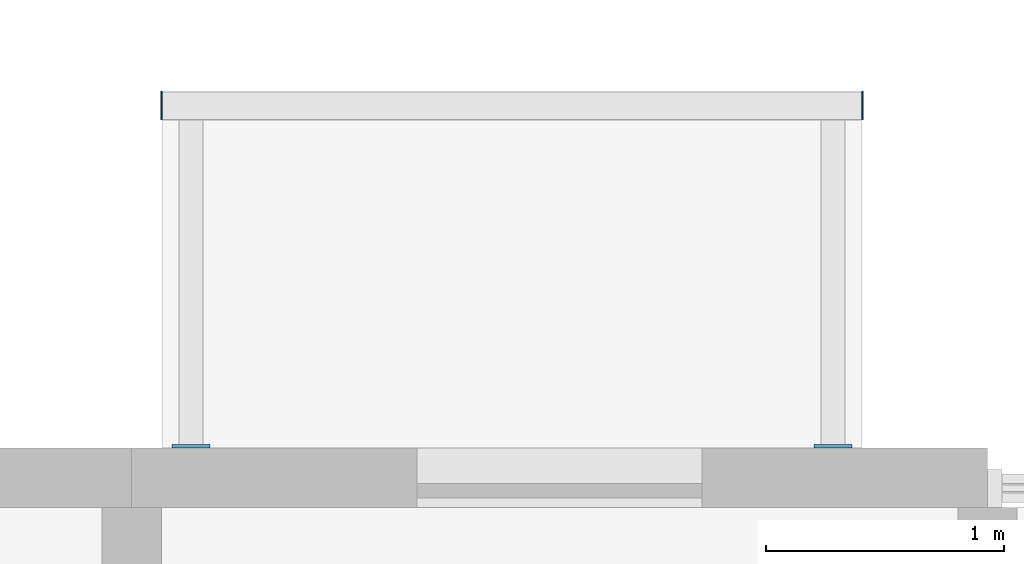
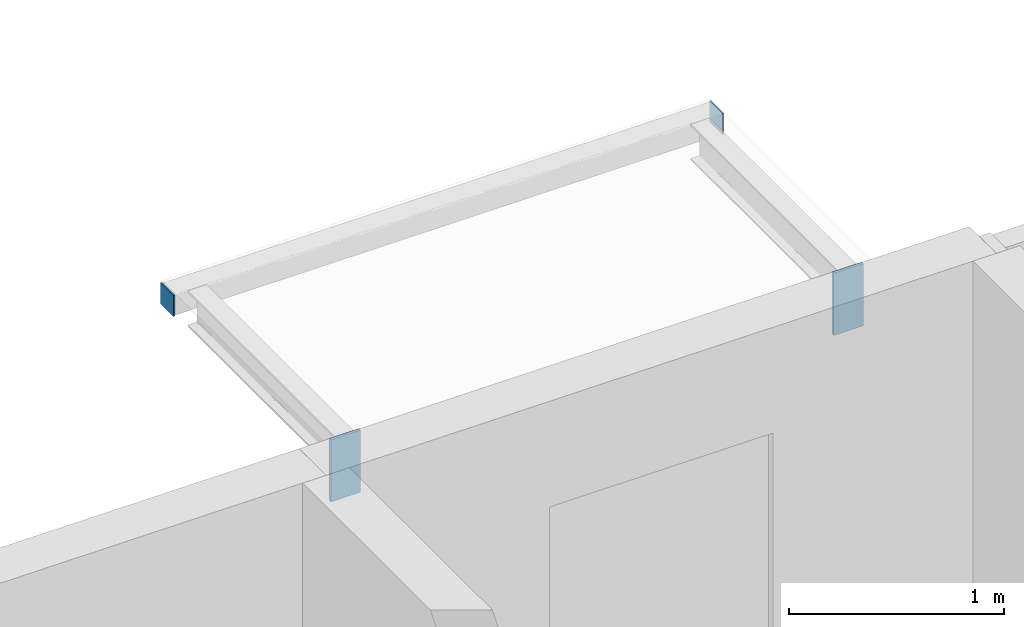
# One storey, part 66 of 98: 4 discrete accessories.
"""IFC4 building model written with IfcOpenShell, lengths in metres."""

from ifc_helpers import new_model, si_unit, direction, frame, origin, origin_2d, place, context, subcontext, project, spatial, rectangle, extrude, material, layer, layer_set, type_object, element, save


model = new_model("IFC4")

# Units and contexts
model_context = context("Model", 3, precision=1e-05, world=origin(), true_north=direction((0.0, 1.0)))
body_context = subcontext(model_context, "Body", "Model", "MODEL_VIEW")
ifc_project = project(units=[si_unit("LENGTHUNIT", "METRE"), si_unit("AREAUNIT", "SQUARE_METRE"), si_unit("VOLUMEUNIT", "CUBIC_METRE"), si_unit("PLANEANGLEUNIT", "RADIAN"), si_unit("MASSUNIT", "GRAM", prefix="KILO")], contexts=[model_context])

# Site, building, storey
site_placement = place(None, origin())
site = spatial("IfcSite", under=ifc_project, at=site_placement, CompositionType="ELEMENT")
building_placement = place(site_placement, origin())
building = spatial("IfcBuilding", under=site, at=building_placement, Name="Ridgestep Commons", CompositionType="ELEMENT")
storey_placement = place(building_placement, frame((0.0, 0.0, 12.0)))
storey = spatial("IfcBuildingStorey", under=building, at=storey_placement, Name="L04", CompositionType="ELEMENT", Elevation=12.0)

# Discrete accessories
ifc_material_1 = material(Name="Weathering steel S355J2W", Category="steel")
ifc_layer_1 = layer(ifc_material_1, 0.014892578125)
ifc_layer_set_1 = layer_set([ifc_layer_1], Name="Tray bracket plate 15")
discrete_accessory_type_1 = type_object("IfcDiscreteAccessoryType", Name="Tray bracket plate 15", PredefinedType="BRACKET", material=ifc_layer_set_1)
for number, where, z_axis, x_axis, name in (
    (1, (86.64990234375, 23.007568359375, 2.63671875), (0.0, 0.0, 1.0), (1.0, 0.0, 0.0), "Tray bracket A5T3-05.1"),
    (2, (89.35009765625, 23.007568359375, 2.63671875), (0.0, 0.0, 1.0), (1.0, 0.0, 0.0), "Tray bracket A5T3-05.2"),
):
    element("IfcDiscreteAccessory", number, at=place(storey_placement, frame(where, z_axis=z_axis, x_axis=x_axis)), inside=storey, type_object=discrete_accessory_type_1, Name=name, PredefinedType="BRACKET", context=body_context, shape_type="SweptSolid", body=[
        extrude(rectangle(XDim=0.159912109375, YDim=0.014892578125, at=origin_2d()), origin(), (0.0, 0.0, 1.0), 0.353271484375),
    ])
ifc_material_2 = material(Name="Weathering steel S355J2W", Category="steel")
ifc_layer_2 = layer(ifc_material_2, 0.008056640625)
ifc_layer_set_2 = layer_set([ifc_layer_2], Name="Tray edge member end plate 120 x 120 x 8")
discrete_accessory_type_2 = type_object("IfcDiscreteAccessoryType", Name="Tray edge member end plate 120 x 120 x 8", PredefinedType="BRACKET", material=ifc_layer_set_2)
for number, where, z_axis, x_axis, name in (
    (3, (86.52587890625, 24.43994140625, 2.869873046875), (0.0, 0.0, 1.0), (1.0, 0.0, 0.0), "Tray edge member end plate A5T3-05 west"),
    (4, (89.47412109375, 24.43994140625, 2.869873046875), (0.0, 0.0, 1.0), (1.0, 0.0, 0.0), "Tray edge member end plate A5T3-05 east"),
):
    element("IfcDiscreteAccessory", number, at=place(storey_placement, frame(where, z_axis=z_axis, x_axis=x_axis)), inside=storey, type_object=discrete_accessory_type_2, Name=name, PredefinedType="BRACKET", context=body_context, shape_type="SweptSolid", body=[
        extrude(rectangle(XDim=0.008056640625, YDim=0.1201171875, at=origin_2d()), origin(), (0.0, 0.0, 1.0), 0.1201171875),
    ])

save(model, "model.ifc")
